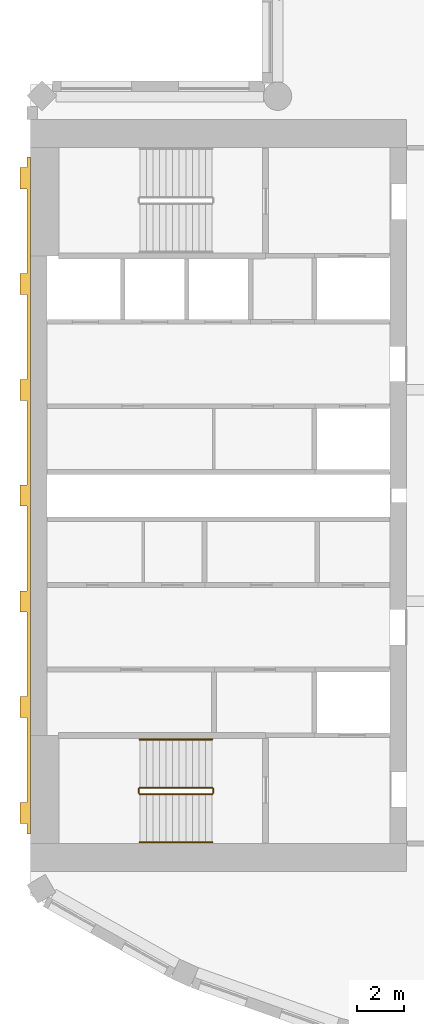
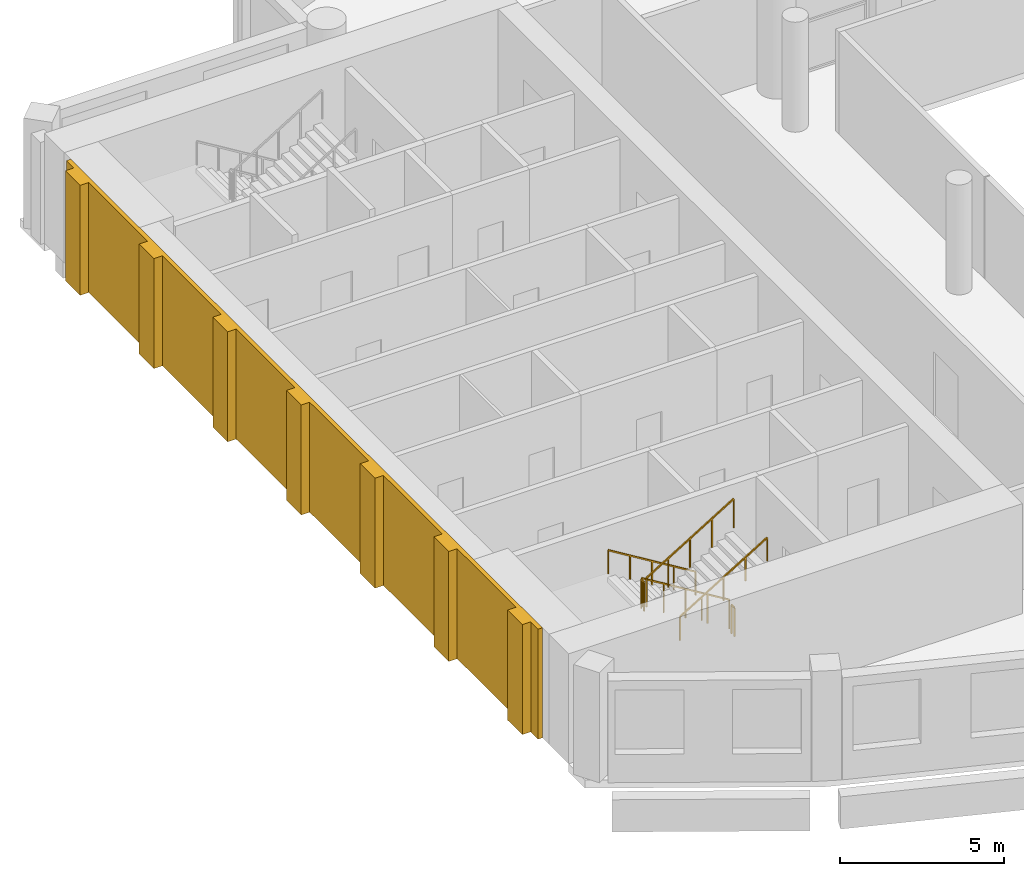
# One storey, part 10 of 14: 6 railings, 1 covering.
"""IFC4 building model written with IfcOpenShell, lengths in metres."""

from ifc_helpers import new_model, si_unit, direction, frame, origin, origin_2d, place, context, subcontext, project, spatial, polyline, rectangle, outline, extrude, material, layer, layer_set, type_object, element, save


model = new_model("IFC4")

# Units and contexts
model_context = context("Model", 3, precision=1e-05, world=origin(), true_north=direction((0.0, 1.0)))
body_context = subcontext(model_context, "Body", "Model", "MODEL_VIEW")
ifc_project = project(units=[si_unit("LENGTHUNIT", "METRE"), si_unit("AREAUNIT", "SQUARE_METRE"), si_unit("VOLUMEUNIT", "CUBIC_METRE"), si_unit("PLANEANGLEUNIT", "RADIAN"), si_unit("MASSUNIT", "GRAM", prefix="KILO")], contexts=[model_context])

# Site, building, storey
site_placement = place(None, origin())
site = spatial("IfcSite", under=ifc_project, at=site_placement, CompositionType="ELEMENT")
building_placement = place(site_placement, origin())
building = spatial("IfcBuilding", under=site, at=building_placement, Name="Cypress Arch Tower", CompositionType="ELEMENT")
storey_placement = place(building_placement, frame((0.0, 0.0, 325.39990234375)))
storey = spatial("IfcBuildingStorey", under=building, at=storey_placement, Name="L74", CompositionType="ELEMENT", Elevation=325.39990234375)

# Railings
ifc_material_1 = material(Name="Black powder-coated steel square bar 48 mm", Category="steel")
railing_type_1 = type_object("IfcRailingType", Name="Stair handrail HR1", PredefinedType="HANDRAIL", material=ifc_material_1)
railing_1_placement = place(storey_placement, frame((-22.27490234375, -10.375, 0.1708984375)))
element("IfcRailing", 1, at=railing_1_placement, inside=storey, type_object=railing_type_1, Name="L74 A stair handrail 1", PredefinedType="HANDRAIL", context=body_context, shape_type="SweptSolid", body=[
    extrude(rectangle(XDim=0.048095703125, YDim=0.048095703125, at=origin_2d()), frame((0.0, 0.0, 0.8759765625), z_axis=(-0.853666305674, 0.0, 0.52082035152), x_axis=(0.0, -1.0, 0.0)), (0.0, 0.0, 1.0), 3.608154296875),
    extrude(rectangle(XDim=0.0419921875, YDim=0.0419921875, at=origin_2d()), origin(), (0.0, 0.0, 1.0), 0.851806640625),
    extrude(rectangle(XDim=0.0419921875, YDim=0.0419921875, at=origin_2d()), frame((-0.77001953125, 0.0, 0.4697265625)), (0.0, 0.0, 1.0), 0.851806640625),
    extrude(rectangle(XDim=0.0419921875, YDim=0.0419921875, at=origin_2d()), frame((-1.5400390625, 0.0, 0.939453125)), (0.0, 0.0, 1.0), 0.851806640625),
    extrude(rectangle(XDim=0.0419921875, YDim=0.0419921875, at=origin_2d()), frame((-2.31005859375, 0.0, 1.409423828125)), (0.0, 0.0, 1.0), 0.851806640625),
    extrude(rectangle(XDim=0.0419921875, YDim=0.0419921875, at=origin_2d()), frame((-3.080078125, 0.0, 1.879150390625)), (0.0, 0.0, 1.0), 0.851806640625),
])
railing_2_placement = place(storey_placement, frame((-25.35498046875, -14.75, 2.220947265625)))
element("IfcRailing", 2, at=railing_2_placement, inside=storey, type_object=railing_type_1, Name="L74 A stair handrail 2", PredefinedType="HANDRAIL", context=body_context, shape_type="SweptSolid", body=[
    extrude(rectangle(XDim=0.048095703125, YDim=0.048095703125, at=origin_2d()), frame((0.0, 0.0, 0.8759765625), z_axis=(0.853666305674, 0.0, 0.52082035152), x_axis=(0.0, 1.0, 0.0)), (0.0, 0.0, 1.0), 3.608154296875),
    extrude(rectangle(XDim=0.0419921875, YDim=0.0419921875, at=origin_2d()), origin(), (0.0, 0.0, 1.0), 0.851806640625),
    extrude(rectangle(XDim=0.0419921875, YDim=0.0419921875, at=origin_2d()), frame((0.77001953125, 0.0, 0.4697265625)), (0.0, 0.0, 1.0), 0.851806640625),
    extrude(rectangle(XDim=0.0419921875, YDim=0.0419921875, at=origin_2d()), frame((1.5400390625, 0.0, 0.939453125)), (0.0, 0.0, 1.0), 0.851806640625),
    extrude(rectangle(XDim=0.0419921875, YDim=0.0419921875, at=origin_2d()), frame((2.31005859375, 0.0, 1.409423828125)), (0.0, 0.0, 1.0), 0.851806640625),
    extrude(rectangle(XDim=0.0419921875, YDim=0.0419921875, at=origin_2d()), frame((3.080078125, 0.0, 1.879150390625)), (0.0, 0.0, 1.0), 0.851806640625),
])
ifc_material_2 = material(Name="Black powder-coated steel balusters", Category="steel")
railing_type_2 = type_object("IfcRailingType", Name="Stair well guard G1", PredefinedType="GUARDRAIL", material=ifc_material_2)
railing_3_placement = place(storey_placement, frame((-22.27490234375, -12.425048828125, 0.1708984375)))
element("IfcRailing", 3, at=railing_3_placement, inside=storey, type_object=railing_type_2, Name="L74 A stair guard 1", PredefinedType="GUARDRAIL", context=body_context, shape_type="SweptSolid", body=[
    extrude(rectangle(XDim=0.048095703125, YDim=0.048095703125, at=origin_2d()), frame((0.0, 0.0, 1.076171875), z_axis=(-0.853666305674, 0.0, 0.52082035152), x_axis=(0.0, -1.0, 0.0)), (0.0, 0.0, 1.0), 3.608154296875),
    extrude(rectangle(XDim=0.0419921875, YDim=0.0419921875, at=origin_2d()), origin(), (0.0, 0.0, 1.0), 1.052001953125),
    extrude(rectangle(XDim=0.0419921875, YDim=0.0419921875, at=origin_2d()), frame((-0.77001953125, 0.0, 0.4697265625)), (0.0, 0.0, 1.0), 1.052001953125),
    extrude(rectangle(XDim=0.0419921875, YDim=0.0419921875, at=origin_2d()), frame((-1.5400390625, 0.0, 0.939453125)), (0.0, 0.0, 1.0), 1.052001953125),
    extrude(rectangle(XDim=0.0419921875, YDim=0.0419921875, at=origin_2d()), frame((-2.31005859375, 0.0, 1.409423828125)), (0.0, 0.0, 1.0), 1.052001953125),
    extrude(rectangle(XDim=0.0419921875, YDim=0.0419921875, at=origin_2d()), frame((-3.080078125, 0.0, 1.879150390625)), (0.0, 0.0, 1.0), 1.052001953125),
])
railing_4_placement = place(storey_placement, frame((-25.405029296875, -12.47509765625, 2.050048828125)))
element("IfcRailing", 4, at=railing_4_placement, inside=storey, type_object=railing_type_2, Name="L74 A stair guard 2", PredefinedType="GUARDRAIL", context=body_context, shape_type="SweptSolid", body=[
    extrude(rectangle(XDim=0.048095703125, YDim=0.048095703125, at=origin_2d()), frame((0.0, 0.0, 1.076171875), z_axis=(0.0, -1.0, 0.0), x_axis=(1.0, 0.0, 0.0)), (0.0, 0.0, 1.0), 0.1748046875),
    extrude(rectangle(XDim=0.0419921875, YDim=0.0419921875, at=origin_2d()), origin(), (0.0, 0.0, 1.0), 1.052001953125),
    extrude(rectangle(XDim=0.0419921875, YDim=0.0419921875, at=origin_2d()), frame((0.0, -0.1748046875, 0.0)), (0.0, 0.0, 1.0), 1.052001953125),
])
railing_5_placement = place(storey_placement, frame((-25.35498046875, -12.699951171875, 2.220947265625)))
element("IfcRailing", 5, at=railing_5_placement, inside=storey, type_object=railing_type_2, Name="L74 A stair guard 3", PredefinedType="GUARDRAIL", context=body_context, shape_type="SweptSolid", body=[
    extrude(rectangle(XDim=0.048095703125, YDim=0.048095703125, at=origin_2d()), frame((0.0, 0.0, 1.076171875), z_axis=(0.853666305674, 0.0, 0.52082035152), x_axis=(0.0, 1.0, 0.0)), (0.0, 0.0, 1.0), 3.608154296875),
    extrude(rectangle(XDim=0.0419921875, YDim=0.0419921875, at=origin_2d()), origin(), (0.0, 0.0, 1.0), 1.052001953125),
    extrude(rectangle(XDim=0.0419921875, YDim=0.0419921875, at=origin_2d()), frame((0.77001953125, 0.0, 0.4697265625)), (0.0, 0.0, 1.0), 1.052001953125),
    extrude(rectangle(XDim=0.0419921875, YDim=0.0419921875, at=origin_2d()), frame((1.5400390625, 0.0, 0.939453125)), (0.0, 0.0, 1.0), 1.052001953125),
    extrude(rectangle(XDim=0.0419921875, YDim=0.0419921875, at=origin_2d()), frame((2.31005859375, 0.0, 1.409423828125)), (0.0, 0.0, 1.0), 1.052001953125),
    extrude(rectangle(XDim=0.0419921875, YDim=0.0419921875, at=origin_2d()), frame((3.080078125, 0.0, 1.879150390625)), (0.0, 0.0, 1.0), 1.052001953125),
])
railing_6_placement = place(storey_placement, frame((-22.22509765625, -12.47509765625, 0.0)))
element("IfcRailing", 6, at=railing_6_placement, inside=storey, type_object=railing_type_2, Name="L74 A stair guard 4", PredefinedType="GUARDRAIL", context=body_context, shape_type="SweptSolid", body=[
    extrude(rectangle(XDim=0.048095703125, YDim=0.048095703125, at=origin_2d()), frame((0.0, 0.0, 1.076171875), z_axis=(0.0, -1.0, 0.0), x_axis=(1.0, 0.0, 0.0)), (0.0, 0.0, 1.0), 0.1748046875),
    extrude(rectangle(XDim=0.0419921875, YDim=0.0419921875, at=origin_2d()), origin(), (0.0, 0.0, 1.0), 1.052001953125),
    extrude(rectangle(XDim=0.0419921875, YDim=0.0419921875, at=origin_2d()), frame((0.0, -0.1748046875, 0.0)), (0.0, 0.0, 1.0), 1.052001953125),
])

# Covering
ifc_material_3 = material(Name="Brick (red buff blend)", Category="masonry")
ifc_layer = layer(ifc_material_3, 0.449951171875)
ifc_layer_set = layer_set([ifc_layer], Name="West face brick piers WP450")
covering_type = type_object("IfcCoveringType", Name="West face brick piers WP450", PredefinedType="CLADDING", material=ifc_layer_set)
covering_placement = place(storey_placement, origin())
element("IfcCovering", 7, at=covering_placement, inside=storey, type_object=covering_type, Name="West face brick piers L74", PredefinedType="CLADDING", context=body_context, shape_type="SweptSolid", body=[
    extrude(outline(polyline([(-30.14990234375, -13.050048828125), (-30.14990234375, -9.449951171875), (-30.449951171875, -9.449951171875), (-30.449951171875, -8.550048828125), (-30.14990234375, -8.550048828125), (-30.14990234375, -4.949951171875), (-30.449951171875, -4.949951171875), (-30.449951171875, -4.050048828125), (-30.14990234375, -4.050048828125), (-30.14990234375, -0.449951171875), (-30.449951171875, -0.449951171875), (-30.449951171875, 0.449951171875), (-30.14990234375, 0.449951171875), (-30.14990234375, 4.050048828125), (-30.449951171875, 4.050048828125), (-30.449951171875, 4.949951171875), (-30.14990234375, 4.949951171875), (-30.14990234375, 8.550048828125), (-30.449951171875, 8.550048828125), (-30.449951171875, 9.449951171875), (-30.14990234375, 9.449951171875), (-30.14990234375, 13.050048828125), (-30.449951171875, 13.050048828125), (-30.449951171875, 13.949951171875), (-30.14990234375, 13.949951171875), (-30.14990234375, 14.39990234375), (-30.0, 14.39990234375), (-30.0, -14.39990234375), (-30.14990234375, -14.39990234375), (-30.14990234375, -13.949951171875), (-30.449951171875, -13.949951171875), (-30.449951171875, -13.050048828125), (-30.14990234375, -13.050048828125)])), origin(), (0.0, 0.0, 1.0), 4.10009765625),
])

save(model, "model.ifc")
